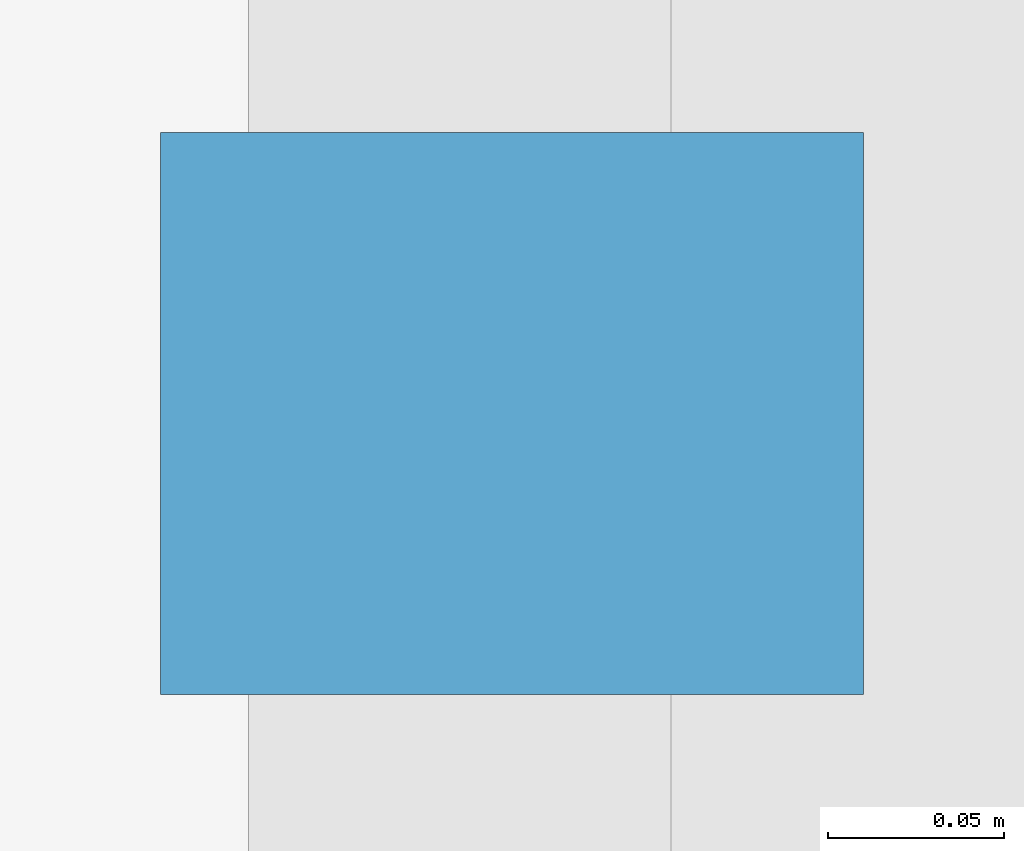
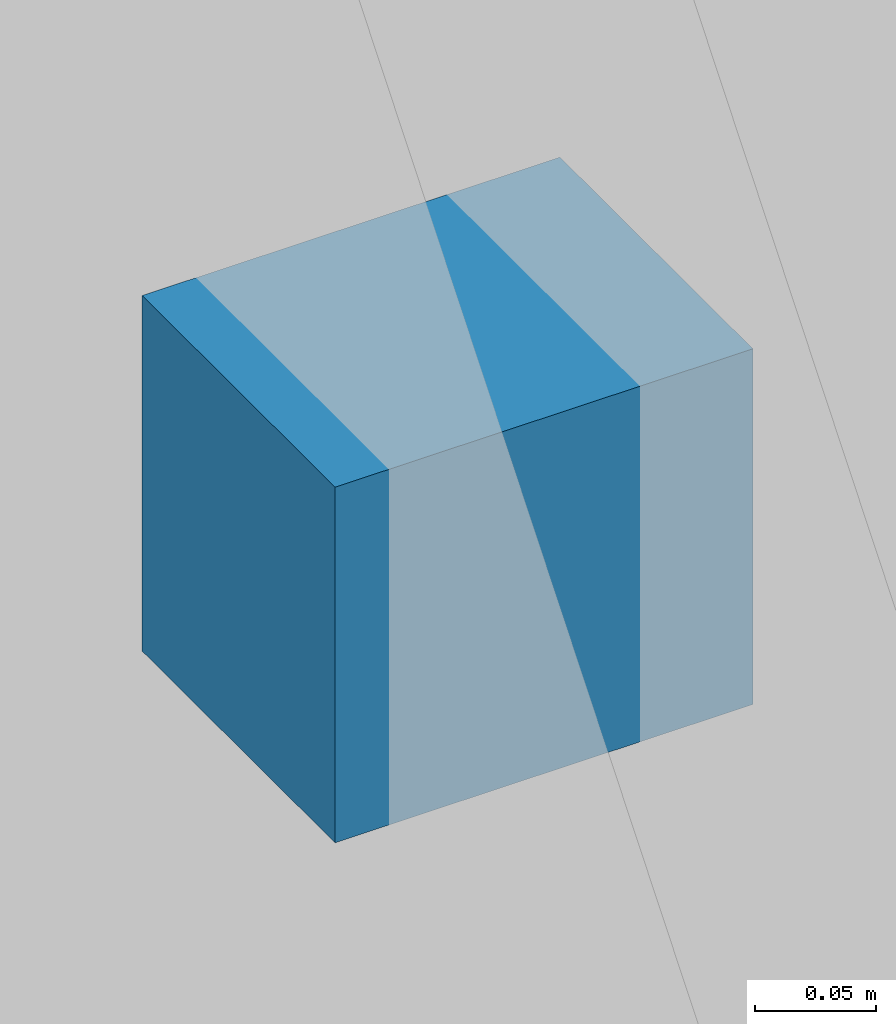
# One storey, part 13 of 17: 1 discrete accessory.
"""IFC4 building model written with IfcOpenShell, lengths in metres."""

from ifc_helpers import new_model, si_unit, direction, frame, origin, origin_2d, place, context, subcontext, project, spatial, rectangle, extrude, material, type_object, element, save


model = new_model("IFC4")

# Units and contexts
model_context = context("Model", 3, precision=1e-05, world=origin(), true_north=direction((0.0, 1.0)))
body_context = subcontext(model_context, "Body", "Model", "MODEL_VIEW")
ifc_project = project(units=[si_unit("LENGTHUNIT", "METRE"), si_unit("AREAUNIT", "SQUARE_METRE"), si_unit("VOLUMEUNIT", "CUBIC_METRE"), si_unit("PLANEANGLEUNIT", "RADIAN"), si_unit("MASSUNIT", "GRAM", prefix="KILO")], contexts=[model_context])

# Site, building, storey
site_placement = place(None, origin())
site = spatial("IfcSite", under=ifc_project, at=site_placement, CompositionType="ELEMENT")
building_placement = place(site_placement, origin())
building = spatial("IfcBuilding", under=site, at=building_placement, Name="Koriwani Terraces Tower", CompositionType="ELEMENT")
storey_placement = place(building_placement, frame((0.0, 0.0, 237.89990234375)))
storey = spatial("IfcBuildingStorey", under=building, at=storey_placement, Name="L58", CompositionType="ELEMENT", Elevation=237.89990234375)

# Discrete accessory
ifc_material = material(Name="Steel ASTM A572 Grade 50", Category="steel")
discrete_accessory_type = type_object("IfcDiscreteAccessoryType", Name="BAGUETTE_STANDOFF_BRACKET", PredefinedType="BRACKET", material=ifc_material)
discrete_accessory_placement = place(storey_placement, frame((75.2099609375, 21.0, 1.64501953125), z_axis=(0.0, 0.0, 1.0), x_axis=(0.0, -1.0, 0.0)))
element("IfcDiscreteAccessory", 1, at=discrete_accessory_placement, inside=storey, type_object=discrete_accessory_type, Name="L58 Terracotta Baguette Bracket (E_TIP-3)", PredefinedType="BRACKET", context=body_context, shape_type="SweptSolid", body=[
    extrude(rectangle(XDim=0.159912109375, YDim=0.199951171875, at=origin_2d()), origin(), (0.0, 0.0, 1.0), 0.179931640625),
])

save(model, "model.ifc")
